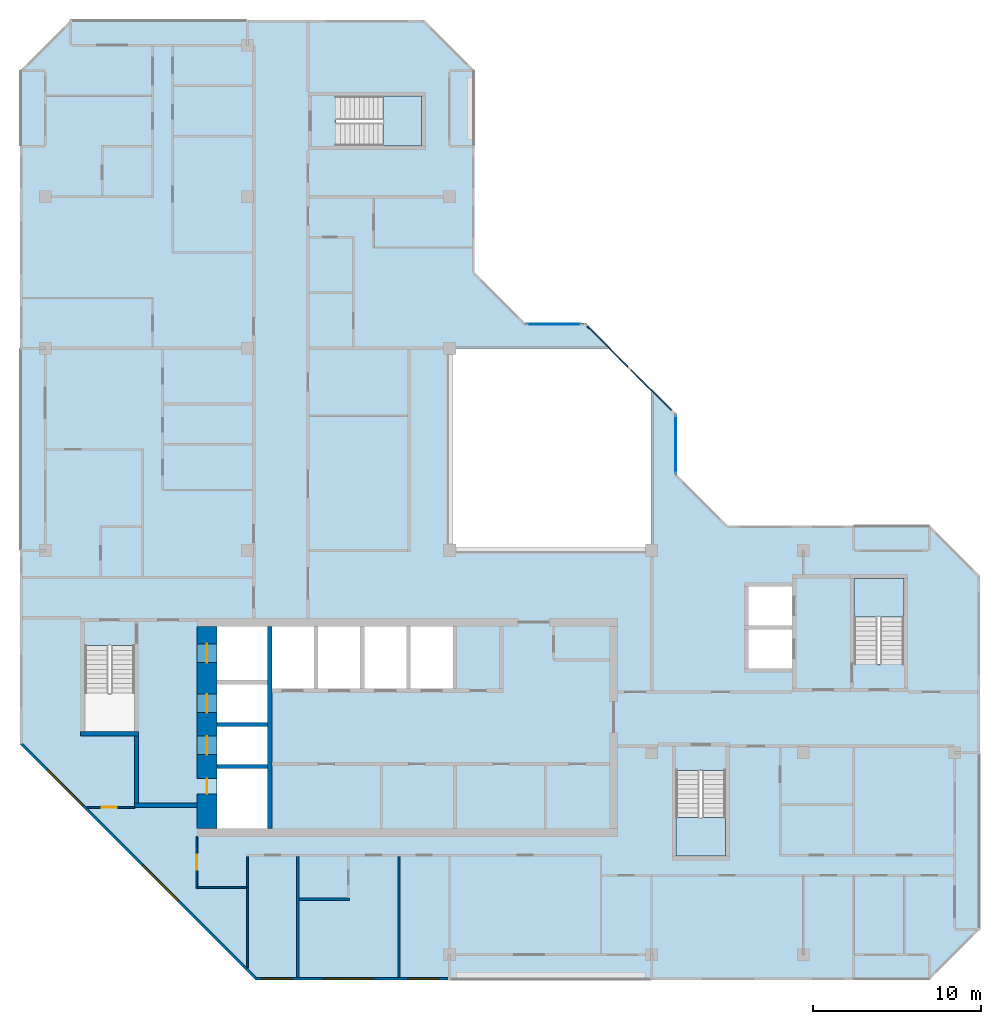
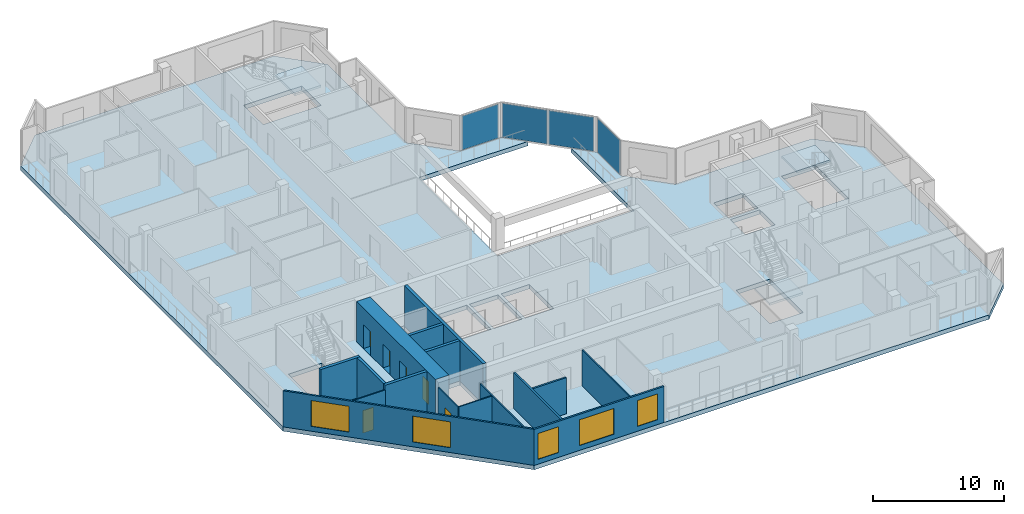
# One storey, part 3 of 12: 16 walls, 6 doors, 5 windows, 4 plates, 4 slabs, 11 openings, 6 elements without a shape of their own.
"""IFC4 building model written with IfcOpenShell, lengths in metres."""

from ifc_helpers import new_model, si_unit, direction, frame, frame_2d, origin, origin_2d, place, context, subcontext, project, spatial, polyline, rectangle, outline, extrude, material, layer, layer_set, type_object, element, fill, aggregate, save


model = new_model("IFC4")

# Units and contexts
model_context = context("Model", 3, precision=1e-05, world=origin(), true_north=direction((0.0, 1.0)))
body_context = subcontext(model_context, "Body", "Model", "MODEL_VIEW")
ifc_project = project(units=[si_unit("LENGTHUNIT", "METRE"), si_unit("AREAUNIT", "SQUARE_METRE"), si_unit("VOLUMEUNIT", "CUBIC_METRE"), si_unit("PLANEANGLEUNIT", "RADIAN"), si_unit("MASSUNIT", "GRAM", prefix="KILO")], contexts=[model_context])

# Site, building, storey
site_placement = place(None, origin())
site = spatial("IfcSite", under=ifc_project, at=site_placement, CompositionType="ELEMENT")
building_placement = place(site_placement, origin())
building = spatial("IfcBuilding", under=site, at=building_placement, Name="Chenar Terraces", CompositionType="ELEMENT")
storey_placement = place(building_placement, frame((0.0, 0.0, 372.64990234375)))
storey = spatial("IfcBuildingStorey", under=building, at=storey_placement, Name="L87", CompositionType="ELEMENT", Elevation=372.64990234375)

# Curtain wall, plate
ifc_material_1 = material(Name="Aluminium framed glazing", Category="aluminium")
ifc_layer_1 = layer(ifc_material_1, 0.14990234375)
ifc_layer_set_1 = layer_set([ifc_layer_1], Name="Aluminium framed glazing")
curtain_wall_type = type_object("IfcCurtainWallType", Name="Atrium upper-zone curtain wall", PredefinedType="NOTDEFINED", material=ifc_layer_set_1)
placement_1 = place(storey_placement, origin())
curtain_wall_1 = element("IfcCurtainWall", 1, at=placement_1, inside=storey, type_object=curtain_wall_type, Name="Atrium upper-zone curtain wall", PredefinedType="NOTDEFINED")
ifc_material_2 = material(Name="Low emissivity laminated glass, solar control coating", Category="glass")
ifc_layer_2 = layer(ifc_material_2, 0.050048828125)
ifc_layer_set_2 = layer_set([ifc_layer_2], Name="Low emissivity laminated glass, solar control coating")
plate_type = type_object("IfcPlateType", Name="Atrium upper-zone glazing panel 50", PredefinedType="CURTAIN_PANEL", material=ifc_layer_set_2)
plate_1_placement = place(storey_placement, frame((37.425048828125, 30.300048828125, 0.10009765625), z_axis=(0.0, 0.0, 1.0), x_axis=(0.0, 1.0, 0.0)))
plate_1 = element("IfcPlate", 2, at=plate_1_placement, type_object=plate_type, Name="CW8-1 panel 1.1", PredefinedType="CURTAIN_PANEL", context=body_context, shape_type="SweptSolid", body=[
    extrude(rectangle(XDim=3.39990234375, YDim=0.050048828125, at=origin_2d()), origin(), (0.0, 0.0, 1.0), 3.14990234375),
])
aggregate(curtain_wall_1, [plate_1])

# Curtain wall, plates
curtain_wall_2 = element("IfcCurtainWall", 3, at=placement_1, inside=storey, type_object=curtain_wall_type, Name="Atrium upper-zone curtain wall", PredefinedType="NOTDEFINED")
plate_2_placement = place(storey_placement, frame((35.97314453125, 33.520751953125, 0.10009765625), z_axis=(0.0, 0.0, 1.0), x_axis=(-0.707106781187, 0.707106781187, 0.0)))
plate_2 = element("IfcPlate", 4, at=plate_2_placement, type_object=plate_type, Name="CW8-2 panel 1.1", PredefinedType="CURTAIN_PANEL", context=body_context, shape_type="SweptSolid", body=[
    extrude(rectangle(XDim=3.568359375, YDim=0.050048828125, at=origin_2d()), origin(), (0.0, 0.0, 1.0), 3.14990234375),
])
plate_3_placement = place(storey_placement, frame((33.379150390625, 36.11474609375, 0.10009765625), z_axis=(0.0, 0.0, 1.0), x_axis=(-0.707106781187, 0.707106781187, 0.0)))
plate_3 = element("IfcPlate", 5, at=plate_3_placement, type_object=plate_type, Name="CW8-2 panel 2.1", PredefinedType="CURTAIN_PANEL", context=body_context, shape_type="SweptSolid", body=[
    extrude(rectangle(XDim=3.568359375, YDim=0.050048828125, at=origin_2d()), origin(), (0.0, 0.0, 1.0), 3.14990234375),
])
aggregate(curtain_wall_2, [plate_2, plate_3])

# Curtain wall, plate
curtain_wall_3 = element("IfcCurtainWall", 6, at=placement_1, inside=storey, type_object=curtain_wall_type, Name="Atrium upper-zone curtain wall", PredefinedType="NOTDEFINED")
plate_4_placement = place(storey_placement, frame((30.199951171875, 37.425048828125, 0.10009765625), z_axis=(0.0, 0.0, 1.0), x_axis=(-1.0, 0.0, 0.0)))
plate_4 = element("IfcPlate", 7, at=plate_4_placement, type_object=plate_type, Name="CW8-3 panel 1.1", PredefinedType="CURTAIN_PANEL", context=body_context, shape_type="SweptSolid", body=[
    extrude(rectangle(XDim=3.199951171875, YDim=0.050048828125, at=origin_2d()), origin(), (0.0, 0.0, 1.0), 3.14990234375),
])
aggregate(curtain_wall_3, [plate_4])

# Stair, slab
ifc_material_3 = material(Name="Reinforced concrete C40/50", Category="concrete")
stair_type = type_object("IfcStairType", Name="Core stair 1400 half-turn", PredefinedType="HALF_TURN_STAIR", material=ifc_material_3)
stair_1 = element("IfcStair", 8, at=placement_1, inside=storey, type_object=stair_type, Name="L87 Stair 2", PredefinedType="HALF_TURN_STAIR")
ifc_material_4 = material(Name="Reinforced concrete C40/50", Category="concrete")
ifc_layer_3 = layer(ifc_material_4, 0.199951171875)
ifc_layer_set_3 = layer_set([ifc_layer_3], Name="Reinforced concrete C40/50")
slab_type_1 = type_object("IfcSlabType", Name="Core stair landing 200", PredefinedType="LANDING", material=ifc_layer_set_3)
placement_2 = place(storey_placement, frame((0.0, 0.0, 1.675048828125)))
slab_1 = element("IfcSlab", 9, at=placement_2, type_object=slab_type_1, Name="ST2 landing 1", PredefinedType="LANDING", context=body_context, shape_type="SweptSolid", body=[
    extrude(outline(polyline([(37.449951171875, 8.14990234375), (37.449951171875, 5.85009765625), (40.39990234375, 5.85009765625), (40.39990234375, 8.14990234375), (37.449951171875, 8.14990234375)])), origin(), (0.0, 0.0, 1.0), 0.199951171875),
])
aggregate(stair_1, [slab_1])

stair_2 = element("IfcStair", 10, at=placement_1, inside=storey, type_object=stair_type, Name="L87 Stair 3", PredefinedType="HALF_TURN_STAIR")
slab_2 = element("IfcSlab", 11, at=placement_2, type_object=slab_type_1, Name="ST3 landing 1", PredefinedType="LANDING", context=body_context, shape_type="SweptSolid", body=[
    extrude(outline(polyline([(50.97509765625, 20.050048828125), (50.97509765625, 22.35009765625), (48.02490234375, 22.35009765625), (48.02490234375, 20.050048828125), (50.97509765625, 20.050048828125)])), origin(), (0.0, 0.0, 1.0), 0.199951171875),
])
aggregate(stair_2, [slab_2])

stair_3 = element("IfcStair", 12, at=placement_1, inside=storey, type_object=stair_type, Name="L87 Stair 4", PredefinedType="HALF_TURN_STAIR")
slab_3 = element("IfcSlab", 13, at=placement_2, type_object=slab_type_1, Name="ST4 landing 1", PredefinedType="LANDING", context=body_context, shape_type="SweptSolid", body=[
    extrude(outline(polyline([(20.050048828125, 48.02490234375), (22.35009765625, 48.02490234375), (22.35009765625, 50.97509765625), (20.050048828125, 50.97509765625), (20.050048828125, 48.02490234375)])), origin(), (0.0, 0.0, 1.0), 0.199951171875),
])
aggregate(stair_3, [slab_3])

# Slab
ifc_material_5 = material(Name="Concrete C40/50", Category="concrete")
ifc_layer_4 = layer(ifc_material_5, 0.39990234375)
ifc_layer_set_4 = layer_set([ifc_layer_4], Name="Concrete C40/50")
slab_type_2 = type_object("IfcSlabType", Name="Floor slab 400 Concrete C40/50", PredefinedType="FLOOR", material=ifc_layer_set_4)
slab_4_placement = place(storey_placement, frame((0.0, 0.0, -0.39990234375)))
element("IfcSlab", 14, at=slab_4_placement, inside=storey, type_object=slab_type_2, Name="Floor slab L87", PredefinedType="FLOOR", context=body_context, shape_type="SweptSolid", body=[
    extrude(outline(polyline([(55.5, 22.5), (55.5, 1.5), (52.5, -1.5), (12.5, -1.5), (-1.5, 12.5), (-1.5, 52.5), (1.5, 55.5), (22.5, 55.5), (25.5, 52.5), (25.5, 40.5), (28.5, 37.5), (32.10009765625, 37.5), (33.60009765625, 36.0), (24.0, 36.0), (24.0, 24.0), (36.0, 24.0), (36.0, 33.60009765625), (37.5, 32.10009765625), (37.5, 28.5), (40.5, 25.5), (52.5, 25.5), (55.5, 22.5)]), holes=[polyline([(10.199951171875, 11.050048828125), (10.199951171875, 7.5), (13.199951171875, 7.5), (13.199951171875, 11.050048828125), (10.199951171875, 11.050048828125)]), polyline([(13.199951171875, 13.550048828125), (10.199951171875, 13.550048828125), (10.199951171875, 11.300048828125), (13.199951171875, 11.300048828125), (13.199951171875, 13.550048828125)]), polyline([(13.199951171875, 16.050048828125), (10.199951171875, 16.050048828125), (10.199951171875, 13.800048828125), (13.199951171875, 13.800048828125), (13.199951171875, 16.050048828125)]), polyline([(2.35009765625, 13.25), (5.300048828125, 13.25), (5.300048828125, 18.35009765625), (2.35009765625, 18.35009765625), (2.35009765625, 13.25)]), polyline([(15.949951171875, 19.5), (13.449951171875, 19.5), (13.449951171875, 15.800048828125), (15.949951171875, 15.800048828125), (15.949951171875, 19.5)]), polyline([(18.699951171875, 19.5), (16.199951171875, 19.5), (16.199951171875, 15.800048828125), (18.699951171875, 15.800048828125), (18.699951171875, 19.5)]), polyline([(13.199951171875, 19.5), (10.199951171875, 19.5), (10.199951171875, 16.300048828125), (13.199951171875, 16.300048828125), (13.199951171875, 19.5)]), polyline([(22.35009765625, 48.02490234375), (22.35009765625, 50.97509765625), (17.25, 50.97509765625), (17.25, 48.02490234375), (22.35009765625, 48.02490234375)]), polyline([(37.449951171875, 5.85009765625), (40.39990234375, 5.85009765625), (40.39990234375, 10.949951171875), (37.449951171875, 10.949951171875), (37.449951171875, 5.85009765625)]), polyline([(21.449951171875, 19.5), (18.949951171875, 19.5), (18.949951171875, 15.800048828125), (21.449951171875, 15.800048828125), (21.449951171875, 19.5)]), polyline([(24.199951171875, 19.5), (21.699951171875, 19.5), (21.699951171875, 15.800048828125), (24.199951171875, 15.800048828125), (24.199951171875, 19.5)]), polyline([(44.35009765625, 19.300048828125), (41.75, 19.300048828125), (41.75, 17.0), (44.35009765625, 17.0), (44.35009765625, 19.300048828125)]), polyline([(50.97509765625, 22.35009765625), (48.02490234375, 22.35009765625), (48.02490234375, 17.25), (50.97509765625, 17.25), (50.97509765625, 22.35009765625)]), polyline([(44.35009765625, 21.85009765625), (41.75, 21.85009765625), (41.75, 19.550048828125), (44.35009765625, 19.550048828125), (44.35009765625, 21.85009765625)])]), origin(), (0.0, 0.0, 1.0), 0.39990234375),
])

# Wall, openings, doors
ifc_material_6 = material(Name="Concrete C50/60", Category="concrete")
ifc_layer_5 = layer(ifc_material_6, 1.199951171875)
ifc_layer_set_5 = layer_set([ifc_layer_5], Name="Concrete C50/60")
wall_type_1 = type_object("IfcWallType", Name="Core wall 1200 Concrete C50/60", PredefinedType="SHEAR", material=ifc_layer_set_5)
wall_1_placement = place(storey_placement, frame((9.60009765625, 7.5, 0.0), z_axis=(0.0, 0.0, 1.0), x_axis=(0.0, 1.0, 0.0)))
wall_1 = element("IfcWall", 15, at=wall_1_placement, inside=storey, type_object=wall_type_1, Name="Core wall W L87", PredefinedType="SHEAR", context=body_context, shape_type="SweptSolid", body=[
    extrude(rectangle(XDim=12.0, YDim=1.199951171875, at=frame_2d((6.0, 0.0))), origin(), (0.0, 0.0, 1.0), 3.75),
])
opening_1_placement = place(wall_1_placement, frame((4.375, 0.0, 0.0)))
opening_1 = element("IfcOpeningElement", 16, at=opening_1_placement, cuts=wall_1, Name="Opening DL87-LD5", PredefinedType="OPENING", context=body_context, shape_type="SweptSolid", body=[
    extrude(rectangle(XDim=1.10009765625, YDim=2.199951171875, at=frame_2d((0.550048828125, 1.10009765625))), frame((0.0, 0.60986328125, 0.0), z_axis=(0.0, -1.0, 0.0), x_axis=(1.0, 0.0, 0.0)), (0.0, 0.0, 1.0), 1.219970703125),
])
opening_2_placement = place(wall_1_placement, frame((6.875, 0.0, 0.0)))
opening_2 = element("IfcOpeningElement", 17, at=opening_2_placement, cuts=wall_1, Name="Opening DL87-LD6", PredefinedType="OPENING", context=body_context, shape_type="SweptSolid", body=[
    extrude(rectangle(XDim=1.10009765625, YDim=2.199951171875, at=frame_2d((0.550048828125, 1.10009765625))), frame((0.0, 0.60986328125, 0.0), z_axis=(0.0, -1.0, 0.0), x_axis=(1.0, 0.0, 0.0)), (0.0, 0.0, 1.0), 1.219970703125),
])
opening_3_placement = place(wall_1_placement, frame((9.85009765625, 0.0, 0.0)))
opening_3 = element("IfcOpeningElement", 18, at=opening_3_placement, cuts=wall_1, Name="Opening DL87-LD7", PredefinedType="OPENING", context=body_context, shape_type="SweptSolid", body=[
    extrude(rectangle(XDim=1.10009765625, YDim=2.199951171875, at=frame_2d((0.550048828125, 1.10009765625))), frame((0.0, 0.60986328125, 0.0), z_axis=(0.0, -1.0, 0.0), x_axis=(1.0, 0.0, 0.0)), (0.0, 0.0, 1.0), 1.219970703125),
])
opening_4_placement = place(wall_1_placement, frame((2.050048828125, 0.0, 0.0)))
opening_4 = element("IfcOpeningElement", 19, at=opening_4_placement, cuts=wall_1, Name="Opening DL87-C4", PredefinedType="OPENING", context=body_context, shape_type="SweptSolid", body=[
    extrude(rectangle(XDim=0.89990234375, YDim=2.10009765625, at=frame_2d((0.449951171875, 1.050048828125))), frame((0.0, 0.60986328125, 0.0), z_axis=(0.0, -1.0, 0.0), x_axis=(1.0, 0.0, 0.0)), (0.0, 0.0, 1.0), 1.219970703125),
])
ifc_material_7 = material(Name="Stainless steel", Category="steel")
door_type_1 = type_object("IfcDoorType", Name="Lift landing door 1100 x 2200 sliding", OperationType="DOUBLE_DOOR_SLIDING", PredefinedType="DOOR", material=ifc_material_7)
door_1_placement = place(opening_1_placement, origin())
door_1 = element("IfcDoor", 20, at=door_1_placement, inside=storey, type_object=door_type_1, Name="Landing door S1", OperationType="DOUBLE_DOOR_SLIDING", OverallHeight=2.199951171875, OverallWidth=1.10009765625, PredefinedType="DOOR", context=body_context, shape_type="SweptSolid", body=[
    extrude(rectangle(XDim=1.10009765625, YDim=2.199951171875, at=frame_2d((0.550048828125, 1.10009765625))), frame((0.0, 0.02490234375, 0.0), z_axis=(0.0, -1.0, 0.0), x_axis=(1.0, 0.0, 0.0)), (0.0, 0.0, 1.0), 0.050048828125),
])
fill(opening_1, door_1)
door_2_placement = place(opening_2_placement, origin())
door_2 = element("IfcDoor", 21, at=door_2_placement, inside=storey, type_object=door_type_1, Name="Landing door F1", OperationType="DOUBLE_DOOR_SLIDING", OverallHeight=2.199951171875, OverallWidth=1.10009765625, PredefinedType="DOOR", context=body_context, shape_type="SweptSolid", body=[
    extrude(rectangle(XDim=1.10009765625, YDim=2.199951171875, at=frame_2d((0.550048828125, 1.10009765625))), frame((0.0, 0.02490234375, 0.0), z_axis=(0.0, -1.0, 0.0), x_axis=(1.0, 0.0, 0.0)), (0.0, 0.0, 1.0), 0.050048828125),
])
fill(opening_2, door_2)
door_3_placement = place(opening_3_placement, origin())
door_3 = element("IfcDoor", 22, at=door_3_placement, inside=storey, type_object=door_type_1, Name="Landing door F2", OperationType="DOUBLE_DOOR_SLIDING", OverallHeight=2.199951171875, OverallWidth=1.10009765625, PredefinedType="DOOR", context=body_context, shape_type="SweptSolid", body=[
    extrude(rectangle(XDim=1.10009765625, YDim=2.199951171875, at=frame_2d((0.550048828125, 1.10009765625))), frame((0.0, 0.02490234375, 0.0), z_axis=(0.0, -1.0, 0.0), x_axis=(1.0, 0.0, 0.0)), (0.0, 0.0, 1.0), 0.050048828125),
])
fill(opening_3, door_3)
ifc_material_8 = material(Name="Steel-framed fire-resisting door leaf", Category="steel")
door_type_2 = type_object("IfcDoorType", Name="Riser fire door FD60 900 x 2100", OperationType="SINGLE_SWING_LEFT", PredefinedType="DOOR", material=ifc_material_8)
door_4_placement = place(opening_4_placement, frame((0.89990234375, 0.0, 0.0), z_axis=(0.0, 0.0, 1.0), x_axis=(-1.0, 0.0, 0.0)))
door_4 = element("IfcDoor", 23, at=door_4_placement, inside=storey, type_object=door_type_2, Name="Riser door DL87-C4", OperationType="SINGLE_SWING_LEFT", OverallHeight=2.10009765625, OverallWidth=0.89990234375, PredefinedType="DOOR", context=body_context, shape_type="SweptSolid", body=[
    extrude(rectangle(XDim=0.89990234375, YDim=2.10009765625, at=frame_2d((0.449951171875, 1.050048828125))), frame((0.0, 0.02490234375, 0.0), z_axis=(0.0, -1.0, 0.0), x_axis=(1.0, 0.0, 0.0)), (0.0, 0.0, 1.0), 0.050048828125),
])
fill(opening_4, door_4)

# Walls
ifc_material_9 = material(Name="Concrete C50/60", Category="concrete")
ifc_layer_6 = layer(ifc_material_9, 0.25)
ifc_layer_set_6 = layer_set([ifc_layer_6], Name="Concrete C50/60")
wall_type_2 = type_object("IfcWallType", Name="Core wall 250 Concrete C50/60", PredefinedType="SHEAR", material=ifc_layer_set_6)
wall_2_placement = place(storey_placement, frame((13.324951171875, 7.5, 0.0), z_axis=(0.0, 0.0, 1.0), x_axis=(0.0, 1.0, 0.0)))
element("IfcWall", 24, at=wall_2_placement, inside=storey, type_object=wall_type_2, Name="Core wall WI L87", PredefinedType="SHEAR", context=body_context, shape_type="SweptSolid", body=[
    extrude(rectangle(XDim=12.0, YDim=0.25, at=frame_2d((6.0, 0.0))), origin(), (0.0, 0.0, 1.0), 3.75),
])
for number, where, z_axis, x_axis, name in (
    (25, (10.199951171875, 11.175048828125, 0.0), (0.0, 0.0, 1.0), (1.0, 0.0, 0.0), "Core wall HW0 L87"),
    (26, (10.199951171875, 13.675048828125, 0.0), (0.0, 0.0, 1.0), (1.0, 0.0, 0.0), "Core wall HW1 L87"),
):
    element("IfcWall", number, at=place(storey_placement, frame(where, z_axis=z_axis, x_axis=x_axis)), inside=storey, type_object=wall_type_2, Name=name, PredefinedType="SHEAR", context=body_context, shape_type="SweptSolid", body=[
        extrude(rectangle(XDim=3.0, YDim=0.25, at=frame_2d((1.5, 0.0))), origin(), (0.0, 0.0, 1.0), 3.75),
    ])
wall_3_placement = place(storey_placement, frame((2.10009765625, 13.125, 0.0), z_axis=(0.0, 0.0, 1.0), x_axis=(1.0, 0.0, 0.0)))
element("IfcWall", 27, at=wall_3_placement, inside=storey, type_object=wall_type_2, Name="Core wall ST1_S L87", PredefinedType="SHEAR", context=body_context, shape_type="SweptSolid", body=[
    extrude(rectangle(XDim=3.449951171875, YDim=0.25, at=frame_2d((1.72509765625, 0.0))), origin(), (0.0, 0.0, 1.0), 3.75),
])
wall_4_placement = place(storey_placement, frame((5.300048828125, 8.875, 0.0), z_axis=(0.0, 0.0, 1.0), x_axis=(1.0, 0.0, 0.0)))
element("IfcWall", 28, at=wall_4_placement, inside=storey, type_object=wall_type_2, Name="Core wall FFL_S L87", PredefinedType="SHEAR", context=body_context, shape_type="SweptSolid", body=[
    extrude(rectangle(XDim=3.699951171875, YDim=0.25, at=frame_2d((1.85009765625, 0.0))), origin(), (0.0, 0.0, 1.0), 3.75),
])
wall_5_placement = place(storey_placement, frame((5.425048828125, 9.0, 0.0), z_axis=(0.0, 0.0, 1.0), x_axis=(0.0, 1.0, 0.0)))
element("IfcWall", 29, at=wall_5_placement, inside=storey, type_object=wall_type_2, Name="Core wall FFL_W L87", PredefinedType="SHEAR", context=body_context, shape_type="SweptSolid", body=[
    extrude(rectangle(XDim=4.0, YDim=0.25, at=frame_2d((2.0, 0.0))), origin(), (0.0, 0.0, 1.0), 3.75),
])

# Wall, openings, windows
ifc_material_10 = material(Name="Aluminium framed glazing", Category="aluminium")
ifc_layer_7 = layer(ifc_material_10, 0.14990234375)
ifc_layer_set_7 = layer_set([ifc_layer_7], Name="Aluminium framed glazing")
wall_type_3 = type_object("IfcWallType", Name="Glazed flush facade wall 150", PredefinedType="SOLIDWALL", material=ifc_layer_set_7)
wall_6_placement = place(storey_placement, frame((12.5, -1.425048828125, 0.0), z_axis=(0.0, 0.0, 1.0), x_axis=(1.0, 0.0, 0.0)))
wall_6 = element("IfcWall", 30, at=wall_6_placement, inside=storey, type_object=wall_type_3, Name="Glazed flush facade wall", PredefinedType="SOLIDWALL", context=body_context, shape_type="SweptSolid", body=[
    extrude(rectangle(XDim=11.425048828125, YDim=0.14990234375, at=frame_2d((5.71240234375, 0.0))), origin(), (0.0, 0.0, 1.0), 3.35009765625),
])
opening_5_placement = place(wall_6_placement, frame((0.35009765625, 0.0, 0.449951171875)))
opening_5 = element("IfcOpeningElement", 31, at=opening_5_placement, cuts=wall_6, Name="Opening W180x240", PredefinedType="OPENING", context=body_context, shape_type="SweptSolid", body=[
    extrude(rectangle(XDim=1.800048828125, YDim=2.39990234375, at=frame_2d((0.89990234375, 1.199951171875))), frame((0.0, 0.0849609375, 0.0), z_axis=(0.0, -1.0, 0.0), x_axis=(1.0, 0.0, 0.0)), (0.0, 0.0, 1.0), 0.169921875),
])
opening_6_placement = place(wall_6_placement, frame((4.0, 0.0, 0.449951171875)))
opening_6 = element("IfcOpeningElement", 32, at=opening_6_placement, cuts=wall_6, Name="Opening W300x240", PredefinedType="OPENING", context=body_context, shape_type="SweptSolid", body=[
    extrude(rectangle(XDim=3.0, YDim=2.39990234375, at=frame_2d((1.5, 1.199951171875))), frame((0.0, 0.0849609375, 0.0), z_axis=(0.0, -1.0, 0.0), x_axis=(1.0, 0.0, 0.0)), (0.0, 0.0, 1.0), 0.169921875),
])
opening_7_placement = place(wall_6_placement, frame((9.0625, 0.0, 0.449951171875)))
opening_7 = element("IfcOpeningElement", 33, at=opening_7_placement, cuts=wall_6, Name="Opening W180x240", PredefinedType="OPENING", context=body_context, shape_type="SweptSolid", body=[
    extrude(rectangle(XDim=1.800048828125, YDim=2.39990234375, at=frame_2d((0.89990234375, 1.199951171875))), frame((0.0, 0.0849609375, 0.0), z_axis=(0.0, -1.0, 0.0), x_axis=(1.0, 0.0, 0.0)), (0.0, 0.0, 1.0), 0.169921875),
])
ifc_material_11 = material(Name="Low emissivity double glazing, aluminium frame", Category="aluminium")
window_type_1 = type_object("IfcWindowType", Name="Fixed light 1800 x 2400", PartitioningType="SINGLE_PANEL", PredefinedType="WINDOW", material=ifc_material_11)
window_1_placement = place(opening_5_placement, origin())
window_1 = element("IfcWindow", 34, at=window_1_placement, inside=storey, type_object=window_type_1, Name="Window", OverallHeight=2.39990234375, OverallWidth=1.800048828125, PartitioningType="SINGLE_PANEL", PredefinedType="WINDOW", context=body_context, shape_type="SweptSolid", body=[
    extrude(rectangle(XDim=1.800048828125, YDim=2.39990234375, at=frame_2d((0.89990234375, 1.199951171875))), frame((0.0, 0.030029296875, 0.0), z_axis=(0.0, -1.0, 0.0), x_axis=(1.0, 0.0, 0.0)), (0.0, 0.0, 1.0), 0.06005859375),
])
fill(opening_5, window_1)
window_2_placement = place(opening_7_placement, origin())
window_2 = element("IfcWindow", 35, at=window_2_placement, inside=storey, type_object=window_type_1, Name="Window", OverallHeight=2.39990234375, OverallWidth=1.800048828125, PartitioningType="SINGLE_PANEL", PredefinedType="WINDOW", context=body_context, shape_type="SweptSolid", body=[
    extrude(rectangle(XDim=1.800048828125, YDim=2.39990234375, at=frame_2d((0.89990234375, 1.199951171875))), frame((0.0, 0.030029296875, 0.0), z_axis=(0.0, -1.0, 0.0), x_axis=(1.0, 0.0, 0.0)), (0.0, 0.0, 1.0), 0.06005859375),
])
fill(opening_7, window_2)
ifc_material_12 = material(Name="Low emissivity double glazing, aluminium frame", Category="aluminium")
window_type_2 = type_object("IfcWindowType", Name="Fixed light 3000 x 2400", PartitioningType="SINGLE_PANEL", PredefinedType="WINDOW", material=ifc_material_12)
window_3_placement = place(opening_6_placement, origin())
window_3 = element("IfcWindow", 36, at=window_3_placement, inside=storey, type_object=window_type_2, Name="Window", OverallHeight=2.39990234375, OverallWidth=3.0, PartitioningType="SINGLE_PANEL", PredefinedType="WINDOW", context=body_context, shape_type="SweptSolid", body=[
    extrude(rectangle(XDim=3.0, YDim=2.39990234375, at=frame_2d((1.5, 1.199951171875))), frame((0.0, 0.030029296875, 0.0), z_axis=(0.0, -1.0, 0.0), x_axis=(1.0, 0.0, 0.0)), (0.0, 0.0, 1.0), 0.06005859375),
])
fill(opening_6, window_3)

# Wall, opening, door
ifc_material_13 = material(Name="Gypsum board on steel studs", Category="steel")
ifc_layer_8 = layer(ifc_material_13, 0.10009765625)
ifc_layer_set_8 = layer_set([ifc_layer_8], Name="Gypsum board on steel studs")
wall_type_4 = type_object("IfcWallType", Name="Gypsum partition 100", PredefinedType="PARTITIONING", material=ifc_layer_set_8)
wall_7_placement = place(storey_placement, frame((2.4609375, 8.75, 0.0), z_axis=(0.0, 0.0, 1.0), x_axis=(1.0, 0.0, 0.0)))
wall_7 = element("IfcWall", 37, at=wall_7_placement, inside=storey, type_object=wall_type_4, Name="Partition L87-008", PredefinedType="PARTITIONING", context=body_context, shape_type="SweptSolid", body=[
    extrude(rectangle(XDim=2.839111328125, YDim=0.10009765625, at=frame_2d((1.41943359375, 0.0))), origin(), (0.0, 0.0, 1.0), 3.35009765625),
])
opening_8_placement = place(wall_7_placement, frame((0.888916015625, 0.0, 0.0)))
opening_8 = element("IfcOpeningElement", 38, at=opening_8_placement, cuts=wall_7, Name="Opening DL87-29", PredefinedType="OPENING", context=body_context, shape_type="SweptSolid", body=[
    extrude(rectangle(XDim=0.89990234375, YDim=2.10009765625, at=frame_2d((0.449951171875, 1.050048828125))), frame((0.0, 0.06005859375, 0.0), z_axis=(0.0, -1.0, 0.0), x_axis=(1.0, 0.0, 0.0)), (0.0, 0.0, 1.0), 0.1201171875),
])
ifc_material_14 = material(Name="Veneered timber door leaf", Category="wood")
door_type_3 = type_object("IfcDoorType", Name="Door 900 x 2100", OperationType="SINGLE_SWING_LEFT", PredefinedType="DOOR", material=ifc_material_14)
door_5_placement = place(opening_8_placement, frame((0.89990234375, 0.0, 0.0), z_axis=(0.0, 0.0, 1.0), x_axis=(-1.0, 0.0, 0.0)))
door_5 = element("IfcDoor", 39, at=door_5_placement, inside=storey, type_object=door_type_3, Name="Door DL87-29", OperationType="SINGLE_SWING_RIGHT", OverallHeight=2.10009765625, OverallWidth=0.89990234375, PredefinedType="DOOR", context=body_context, shape_type="SweptSolid", body=[
    extrude(rectangle(XDim=0.89990234375, YDim=2.10009765625, at=frame_2d((0.449951171875, 1.050048828125))), frame((0.0, 0.02490234375, 0.0), z_axis=(0.0, -1.0, 0.0), x_axis=(1.0, 0.0, 0.0)), (0.0, 0.0, 1.0), 0.050048828125),
])
fill(opening_8, door_5)

wall_8_placement = place(storey_placement, frame((9.0, 3.949951171875, 0.0), z_axis=(0.0, 0.0, 1.0), x_axis=(0.0, 1.0, 0.0)))
wall_8 = element("IfcWall", 40, at=wall_8_placement, inside=storey, type_object=wall_type_4, Name="Partition L87-024", PredefinedType="PARTITIONING", context=body_context, shape_type="SweptSolid", body=[
    extrude(rectangle(XDim=3.050048828125, YDim=0.10009765625, at=frame_2d((1.52490234375, 0.0))), origin(), (0.0, 0.0, 1.0), 3.35009765625),
])
opening_9_placement = place(wall_8_placement, frame((1.10009765625, 0.0, 0.0)))
opening_9 = element("IfcOpeningElement", 41, at=opening_9_placement, cuts=wall_8, Name="Opening DL87-28", PredefinedType="OPENING", context=body_context, shape_type="SweptSolid", body=[
    extrude(rectangle(XDim=0.89990234375, YDim=2.10009765625, at=frame_2d((0.449951171875, 1.050048828125))), frame((0.0, 0.06005859375, 0.0), z_axis=(0.0, -1.0, 0.0), x_axis=(1.0, 0.0, 0.0)), (0.0, 0.0, 1.0), 0.1201171875),
])
door_6_placement = place(opening_9_placement, origin())
door_6 = element("IfcDoor", 42, at=door_6_placement, inside=storey, type_object=door_type_3, Name="Door DL87-28", OperationType="SINGLE_SWING_LEFT", OverallHeight=2.10009765625, OverallWidth=0.89990234375, PredefinedType="DOOR", context=body_context, shape_type="SweptSolid", body=[
    extrude(rectangle(XDim=0.89990234375, YDim=2.10009765625, at=frame_2d((0.449951171875, 1.050048828125))), frame((0.0, 0.02490234375, 0.0), z_axis=(0.0, -1.0, 0.0), x_axis=(1.0, 0.0, 0.0)), (0.0, 0.0, 1.0), 0.050048828125),
])
fill(opening_9, door_6)

# Walls
wall_9_placement = place(storey_placement, frame((9.050048828125, 4.0, 0.0), z_axis=(0.0, 0.0, 1.0), x_axis=(1.0, 0.0, 0.0)))
element("IfcWall", 43, at=wall_9_placement, inside=storey, type_object=wall_type_4, Name="Partition L87-025", PredefinedType="PARTITIONING", context=body_context, shape_type="SweptSolid", body=[
    extrude(rectangle(XDim=2.89990234375, YDim=0.10009765625, at=frame_2d((1.449951171875, 0.0))), origin(), (0.0, 0.0, 1.0), 3.35009765625),
])
wall_10_placement = place(storey_placement, frame((12.0, -0.787841796875, 0.0), z_axis=(0.0, 0.0, 1.0), x_axis=(0.0, 1.0, 0.0)))
element("IfcWall", 44, at=wall_10_placement, inside=storey, type_object=wall_type_4, Name="Partition L87-027", PredefinedType="PARTITIONING", context=body_context, shape_type="SweptSolid", body=[
    extrude(rectangle(XDim=6.61279296875, YDim=0.10009765625, at=frame_2d((3.306396484375, 0.0))), origin(), (0.0, 0.0, 1.0), 3.35009765625),
])
wall_11_placement = place(storey_placement, frame((21.0, -1.35107421875, 0.0), z_axis=(0.0, 0.0, 1.0), x_axis=(0.0, 1.0, 0.0)))
element("IfcWall", 45, at=wall_11_placement, inside=storey, type_object=wall_type_4, Name="Partition L87-043", PredefinedType="PARTITIONING", context=body_context, shape_type="SweptSolid", body=[
    extrude(rectangle(XDim=7.176025390625, YDim=0.10009765625, at=frame_2d((3.587890625, 0.0))), origin(), (0.0, 0.0, 1.0), 3.35009765625),
])

# Wall, openings, windows
ifc_material_15 = material(Name="Terracotta cladding on insulated backing", Category="masonry")
ifc_layer_9 = layer(ifc_material_15, 0.14990234375)
ifc_layer_set_9 = layer_set([ifc_layer_9], Name="Terracotta cladding on insulated backing")
wall_type_5 = type_object("IfcWallType", Name="Terracotta rainscreen wall 150", PredefinedType="SOLIDWALL", material=ifc_layer_set_9)
wall_12_placement = place(storey_placement, frame((-1.447021484375, 12.552978515625, 0.0), z_axis=(0.0, 0.0, 1.0), x_axis=(0.707106781187, -0.707106781187, 0.0)))
wall_12 = element("IfcWall", 46, at=wall_12_placement, inside=storey, type_object=wall_type_5, Name="Terracotta rainscreen wall", PredefinedType="SOLIDWALL", context=body_context, shape_type="SweptSolid", body=[
    extrude(rectangle(XDim=19.799072265625, YDim=0.14990234375, at=frame_2d((9.8994140625, 0.0))), origin(), (0.0, 0.0, 1.0), 3.35009765625),
])
opening_10_placement = place(wall_12_placement, frame((2.21240234375, 0.0, 0.449951171875)))
opening_10 = element("IfcOpeningElement", 47, at=opening_10_placement, cuts=wall_12, Name="Opening W300x240", PredefinedType="OPENING", context=body_context, shape_type="SweptSolid", body=[
    extrude(rectangle(XDim=3.0, YDim=2.39990234375, at=frame_2d((1.5, 1.199951171875))), frame((0.0, 0.0849609375, 0.0), z_axis=(0.0, -1.0, 0.0), x_axis=(1.0, 0.0, 0.0)), (0.0, 0.0, 1.0), 0.169921875),
])
opening_11_placement = place(wall_12_placement, frame((10.215576171875, 0.0, 0.449951171875)))
opening_11 = element("IfcOpeningElement", 48, at=opening_11_placement, cuts=wall_12, Name="Opening W300x240", PredefinedType="OPENING", context=body_context, shape_type="SweptSolid", body=[
    extrude(rectangle(XDim=3.0, YDim=2.39990234375, at=frame_2d((1.5, 1.199951171875))), frame((0.0, 0.0849609375, 0.0), z_axis=(0.0, -1.0, 0.0), x_axis=(1.0, 0.0, 0.0)), (0.0, 0.0, 1.0), 0.169921875),
])
window_4_placement = place(opening_10_placement, origin())
window_4 = element("IfcWindow", 49, at=window_4_placement, inside=storey, type_object=window_type_2, Name="Window", OverallHeight=2.39990234375, OverallWidth=3.0, PartitioningType="SINGLE_PANEL", PredefinedType="WINDOW", context=body_context, shape_type="SweptSolid", body=[
    extrude(rectangle(XDim=3.0, YDim=2.39990234375, at=frame_2d((1.5, 1.199951171875))), frame((0.0, 0.030029296875, 0.0), z_axis=(0.0, -1.0, 0.0), x_axis=(1.0, 0.0, 0.0)), (0.0, 0.0, 1.0), 0.06005859375),
])
fill(opening_10, window_4)
window_5_placement = place(opening_11_placement, origin())
window_5 = element("IfcWindow", 50, at=window_5_placement, inside=storey, type_object=window_type_2, Name="Window", OverallHeight=2.39990234375, OverallWidth=3.0, PartitioningType="SINGLE_PANEL", PredefinedType="WINDOW", context=body_context, shape_type="SweptSolid", body=[
    extrude(rectangle(XDim=3.0, YDim=2.39990234375, at=frame_2d((1.5, 1.199951171875))), frame((0.0, 0.030029296875, 0.0), z_axis=(0.0, -1.0, 0.0), x_axis=(1.0, 0.0, 0.0)), (0.0, 0.0, 1.0), 0.06005859375),
])
fill(opening_11, window_5)

# Walls
ifc_material_16 = material(Name="Moisture-resistant gypsum board on steel studs", Category="steel")
ifc_layer_10 = layer(ifc_material_16, 0.14990234375)
ifc_layer_set_10 = layer_set([ifc_layer_10], Name="Moisture-resistant gypsum board on steel studs")
wall_type_6 = type_object("IfcWallType", Name="Wet-room partition 150", PredefinedType="PARTITIONING", material=ifc_layer_set_10)
wall_13_placement = place(storey_placement, frame((15.0, -1.35107421875, 0.0), z_axis=(0.0, 0.0, 1.0), x_axis=(0.0, 1.0, 0.0)))
element("IfcWall", 51, at=wall_13_placement, inside=storey, type_object=wall_type_6, Name="Partition L87-029", PredefinedType="PARTITIONING", context=body_context, shape_type="SweptSolid", body=[
    extrude(rectangle(XDim=7.176025390625, YDim=0.14990234375, at=frame_2d((3.587890625, 0.0))), origin(), (0.0, 0.0, 1.0), 3.35009765625),
])
wall_14_placement = place(storey_placement, frame((15.074951171875, 3.300048828125, 0.0), z_axis=(0.0, 0.0, 1.0), x_axis=(1.0, 0.0, 0.0)))
element("IfcWall", 52, at=wall_14_placement, inside=storey, type_object=wall_type_6, Name="Partition L87-030", PredefinedType="PARTITIONING", context=body_context, shape_type="SweptSolid", body=[
    extrude(rectangle(XDim=3.0, YDim=0.14990234375, at=frame_2d((1.5, 0.0))), origin(), (0.0, 0.0, 1.0), 3.35009765625),
])

save(model, "model.ifc")
